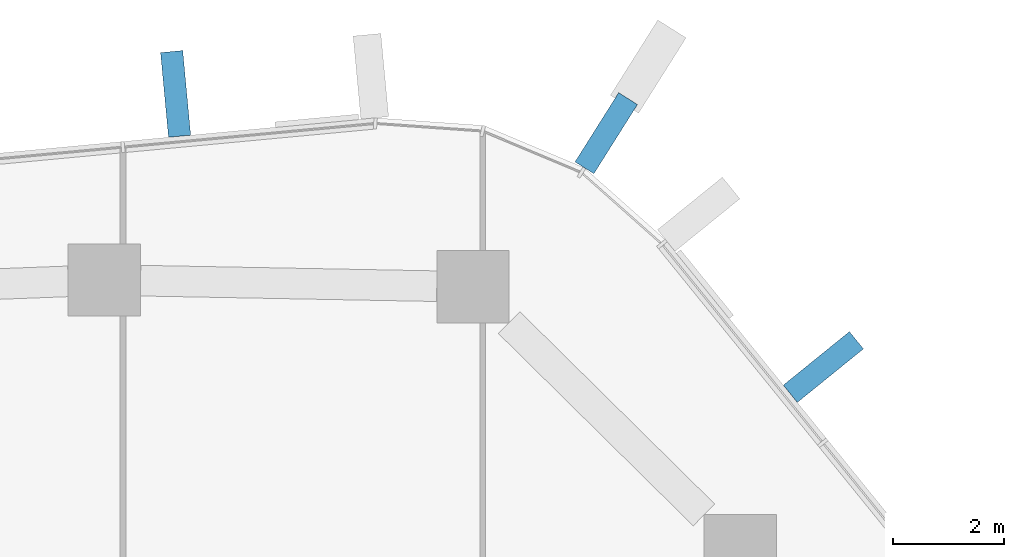
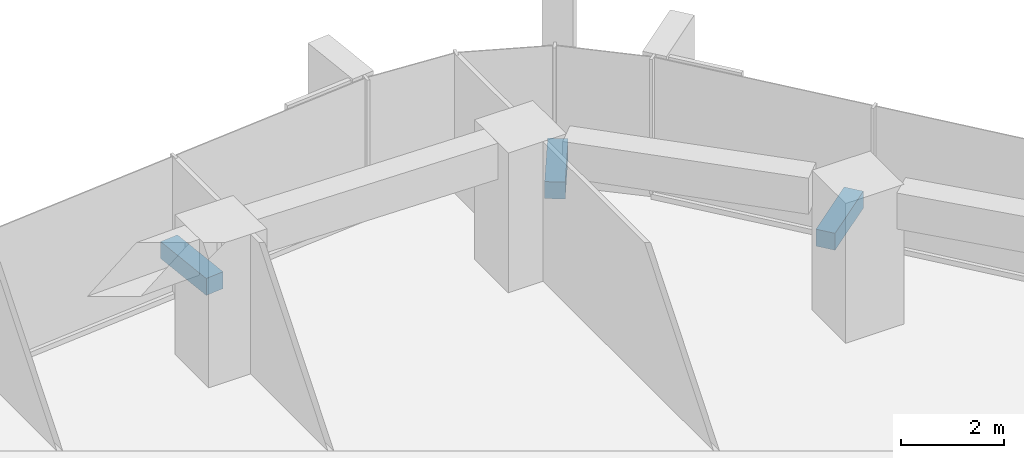
# One storey, part 18 of 24: 3 discrete accessories.
"""IFC4 building model written with IfcOpenShell, lengths in metres."""

import ifcopenshell
import ifcopenshell.guid

model = None  # the IFC model being written
_history = None  # IfcOwnerHistory: only IFC2X3 demands one
_inside = {}  # id of a spatial element -> (the spatial element, [elements in it])
_under = {}  # id of a project, library or spatial element -> (it, [spatial elements below it])
_declared = {}  # id of a project -> (the project, [libraries it declares])
_typed = {}  # id of a type object -> (the type object, [elements of that type])
_made_of = {}  # id of a material, layer set ... -> (it, [elements and type objects made of it])


def new_model(schema):
    """Start an empty IFC model of exactly this schema.

    Asked for "IFC4X3", IfcOpenShell would pick the latest addendum, in which some entities
    have other attributes; the version numbers below select the first issue.
    IFC2X3 requires an IfcOwnerHistory on every rooted entity: one is made here for all.
    """
    global model, _history
    if schema == "IFC4X3":
        model = ifcopenshell.file(schema_version=(4, 3, 0, 0))
    else:
        model = ifcopenshell.file(schema=schema)
    _inside.clear()
    _under.clear()
    _declared.clear()
    _typed.clear()
    _made_of.clear()
    _history = None
    if model.schema == "IFC2X3":
        org = make("IfcOrganization", Name="unknown")
        user = make(
            "IfcPersonAndOrganization",
            ThePerson=make("IfcPerson", FamilyName="unknown"),
            TheOrganization=org,
        )
        app = make(
            "IfcApplication",
            ApplicationDeveloper=org,
            Version="unknown",
            ApplicationFullName="unknown",
            ApplicationIdentifier="unknown",
        )
        _history = make(
            "IfcOwnerHistory",
            OwningUser=user,
            OwningApplication=app,
            ChangeAction="ADDED",
            CreationDate=0,
        )
    return model


def make(cls, **values):
    """One entity of the class cls with the attributes given. An attribute that is None is left unset."""
    return model.create_entity(
        cls, **{name: value for name, value in values.items() if value is not None}
    )


def rooted(cls, **values):
    """An entity with a GlobalId (a new one), such as an element, a storey or a relation."""
    return make(cls, GlobalId=ifcopenshell.guid.new(), OwnerHistory=_history, **values)


def si_unit(unit_type, name, prefix=None):
    """IfcSIUnit, for example si_unit("LENGTHUNIT", "METRE", prefix="MILLI")."""
    return make("IfcSIUnit", UnitType=unit_type, Prefix=prefix, Name=name)


def assignment(units):
    """IfcUnitAssignment: the units of a project."""
    return None if units is None else make("IfcUnitAssignment", Units=units)


def point(xyz):
    """IfcCartesianPoint."""
    return None if xyz is None else make("IfcCartesianPoint", Coordinates=xyz)


def direction(xyz):
    """IfcDirection."""
    return None if xyz is None else make("IfcDirection", DirectionRatios=xyz)


def frame(location, z_axis=None, x_axis=None):
    """IfcAxis2Placement3D, a coordinate frame: its origin and axes. An axis left out is left unset."""
    return make(
        "IfcAxis2Placement3D",
        Location=point(location),
        Axis=direction(z_axis),
        RefDirection=direction(x_axis),
    )


def frame_2d(location, x_axis=None):
    """IfcAxis2Placement2D, a coordinate frame in the plane: its origin and x axis."""
    return make(
        "IfcAxis2Placement2D", Location=point(location), RefDirection=direction(x_axis)
    )


def origin():
    """The frame at (0, 0, 0) with its axes left unset."""
    return frame((0.0, 0.0, 0.0))


def origin_2d():
    """The frame at (0, 0) in the plane with its x axis left unset."""
    return frame_2d((0.0, 0.0))


def place(relative_to, where):
    """IfcLocalPlacement: puts the frame where relative to a parent placement (None: the world)."""
    return make(
        "IfcLocalPlacement", PlacementRelTo=relative_to, RelativePlacement=where
    )


def context(
    kind, dimensions, precision=None, world=None, true_north=None, identifier=None
):
    """IfcGeometricRepresentationContext, for example the 3D "Model" context."""
    return make(
        "IfcGeometricRepresentationContext",
        ContextIdentifier=identifier,
        ContextType=kind,
        CoordinateSpaceDimension=dimensions,
        Precision=precision,
        WorldCoordinateSystem=world,
        TrueNorth=true_north,
    )


def subcontext(parent, identifier, kind, view, scale=None):
    """IfcGeometricRepresentationSubContext, for example "Body" below "Model"."""
    return make(
        "IfcGeometricRepresentationSubContext",
        ContextIdentifier=identifier,
        ContextType=kind,
        ParentContext=parent,
        TargetScale=scale,
        TargetView=view,
    )


def project(units=None, contexts=None):
    """IfcProject with its units and contexts."""
    return rooted(
        "IfcProject",
        Name="project",
        RepresentationContexts=contexts,
        UnitsInContext=assignment(units),
    )


def spatial(cls, under=None, at=None, **own):
    """A site, building, storey or space (cls), placed at a placement, below another one or the project."""
    s = rooted(cls, ObjectPlacement=at, **own)
    if under is not None:
        _under.setdefault(under.id(), (under, []))[1].append(s)
    return s


def profile(cls, at=None, kind="AREA", **sizes):
    """A parametric profile (cls). Its sizes go by their IFC names, for example OverallWidth=200.0."""
    return make(cls, ProfileType=kind, Position=at, **sizes)


def rectangle(**sizes):
    """IfcRectangleProfileDef."""
    return profile("IfcRectangleProfileDef", **sizes)


def extrude(swept, where, along, depth):
    """IfcExtrudedAreaSolid: the profile swept, set in the frame where, extruded along a direction by depth."""
    return make(
        "IfcExtrudedAreaSolid",
        SweptArea=swept,
        Position=where,
        ExtrudedDirection=direction(along),
        Depth=depth,
    )


def shape(context_of_items, identifier, shape_type, items):
    """IfcShapeRepresentation: the items that make up one representation, for example the "Body"."""
    return make(
        "IfcShapeRepresentation",
        ContextOfItems=context_of_items,
        RepresentationIdentifier=identifier,
        RepresentationType=shape_type,
        Items=items,
    )


def material(Name=None, Category=None):
    """IfcMaterial."""
    return make("IfcMaterial", Name=Name, Category=Category)


def made_of(thing, what):
    """Note that an element or type object is made of a material, layer set ...; save() writes the relation."""
    if what is not None:
        _made_of.setdefault(what.id(), (what, []))[1].append(thing)
    return thing


def type_object(cls, material=None, **own):
    """A type object (cls), such as IfcWallType, which elements share."""
    return made_of(rooted(cls, **own), material)


def element(
    cls,
    number,
    at=None,
    inside=None,
    cuts=None,
    type_object=None,
    material=None,
    context=None,
    identifier="Body",
    shape_type=None,
    held_by="IfcProductDefinitionShape",
    body=None,
    shapes=None,
    **own,
):
    """One element of the class cls, such as IfcWall. Its Tag is "e" and its number.

    at: its placement. inside: the storey or other place that contains it. cuts: it is an
    opening in that element (IfcRelVoidsElement). A single representation is given by context,
    identifier, shape_type and body (its items); several are given by shapes. held_by: the class
    of the entity that holds the representations. save() writes the other relations.
    """
    e = rooted(cls, Tag="e%d" % number, ObjectPlacement=at, **own)
    if body is not None:
        shapes = [shape(context, identifier, shape_type, body)]
    if shapes is not None:
        e.Representation = make(held_by, Representations=shapes)
    if inside is not None:
        _inside.setdefault(inside.id(), (inside, []))[1].append(e)
    if cuts is not None:
        rooted(
            "IfcRelVoidsElement", RelatingBuildingElement=cuts, RelatedOpeningElement=e
        )
    if type_object is not None:
        _typed.setdefault(type_object.id(), (type_object, []))[1].append(e)
    return made_of(e, material)


def aggregate(whole, parts):
    """IfcRelAggregates: a whole, such as a stair, and the parts it consists of."""
    return rooted("IfcRelAggregates", RelatingObject=whole, RelatedObjects=parts)


def save(model, path):
    """Write the relations noted so far, then the file.

    IfcRelAggregates (storeys below a building ...), IfcRelContainedInSpatialStructure (elements
    in a storey), IfcRelDefinesByType, IfcRelAssociatesMaterial and IfcRelDeclares: one each for
    every whole, place, type object, material and project.
    """
    for whole, parts in _under.values():
        aggregate(whole, parts)
    for where, things in _inside.values():
        rooted(
            "IfcRelContainedInSpatialStructure",
            RelatedElements=things,
            RelatingStructure=where,
        )
    for kind, things in _typed.values():
        rooted("IfcRelDefinesByType", RelatedObjects=things, RelatingType=kind)
    for what, things in _made_of.values():
        rooted("IfcRelAssociatesMaterial", RelatedObjects=things, RelatingMaterial=what)
    for by, libraries in _declared.values():
        rooted("IfcRelDeclares", RelatingContext=by, RelatedDefinitions=libraries)
    model.write(path)


model = new_model("IFC4")

# Units and contexts
model_context = context("Model", 3, precision=1e-05, world=origin(), true_north=direction((0.0, 1.0)))
body_context = subcontext(model_context, "Body", "Model", "MODEL_VIEW")
ifc_project = project(units=[si_unit("LENGTHUNIT", "METRE"), si_unit("AREAUNIT", "SQUARE_METRE"), si_unit("VOLUMEUNIT", "CUBIC_METRE"), si_unit("PLANEANGLEUNIT", "RADIAN"), si_unit("MASSUNIT", "GRAM", prefix="KILO")], contexts=[model_context])

# Site, building, storey
site_placement = place(None, origin())
site = spatial("IfcSite", under=ifc_project, at=site_placement, CompositionType="ELEMENT")
building_placement = place(site_placement, origin())
building = spatial("IfcBuilding", under=site, at=building_placement, Name="Dongbaek Canopy Tower", CompositionType="ELEMENT")
storey_placement = place(building_placement, frame((0.0, 0.0, 117.39990234375)))
storey = spatial("IfcBuildingStorey", under=building, at=storey_placement, Name="L25", CompositionType="ELEMENT", Elevation=117.39990234375)

# Discrete accessories
ifc_material = material(Name="Galvanised steel S355 bracket", Category="steel")
discrete_accessory_type = type_object("IfcDiscreteAccessoryType", Name="Crease fin bracket BR3 400", PredefinedType="BRACKET", material=ifc_material)
discrete_accessory_1_placement = place(storey_placement, frame((18.212890625, 25.23388671875, -0.39990234375), z_axis=(0.0, 0.0, 1.0), x_axis=(0.777161338423, 0.629301401604, 0.0)))
element("IfcDiscreteAccessory", 1, at=discrete_accessory_1_placement, inside=storey, type_object=discrete_accessory_type, Name="Crease fin bracket L25 F0", PredefinedType="BRACKET", context=body_context, shape_type="SweptSolid", body=[
    extrude(rectangle(XDim=1.528564453125, YDim=0.39990234375, at=origin_2d()), origin(), (0.0, 0.0, 1.0), 0.39990234375),
])
discrete_accessory_2_placement = place(storey_placement, frame((6.574951171875, 30.14111328125, -0.39990234375), z_axis=(0.0, 0.0, 1.0), x_axis=(-0.093397617783, 0.995628889191, 0.0)))
element("IfcDiscreteAccessory", 2, at=discrete_accessory_2_placement, inside=storey, type_object=discrete_accessory_type, Name="Crease fin bracket L25 F1", PredefinedType="BRACKET", context=body_context, shape_type="SweptSolid", body=[
    extrude(rectangle(XDim=1.527587890625, YDim=0.39990234375, at=origin_2d()), origin(), (0.0, 0.0, 1.0), 0.39990234375),
])
discrete_accessory_3_placement = place(storey_placement, frame((14.31201171875, 29.434814453125, -0.39990234375), z_axis=(0.0, 0.0, 1.0), x_axis=(0.533090407429, 0.846058282571, 0.0)))
element("IfcDiscreteAccessory", 3, at=discrete_accessory_3_placement, inside=storey, type_object=discrete_accessory_type, Name="Corner fin bracket L25 K1", PredefinedType="BRACKET", context=body_context, shape_type="SweptSolid", body=[
    extrude(rectangle(XDim=1.469970703125, YDim=0.39990234375, at=origin_2d()), origin(), (0.0, 0.0, 1.0), 0.39990234375),
])

save(model, "model.ifc")
